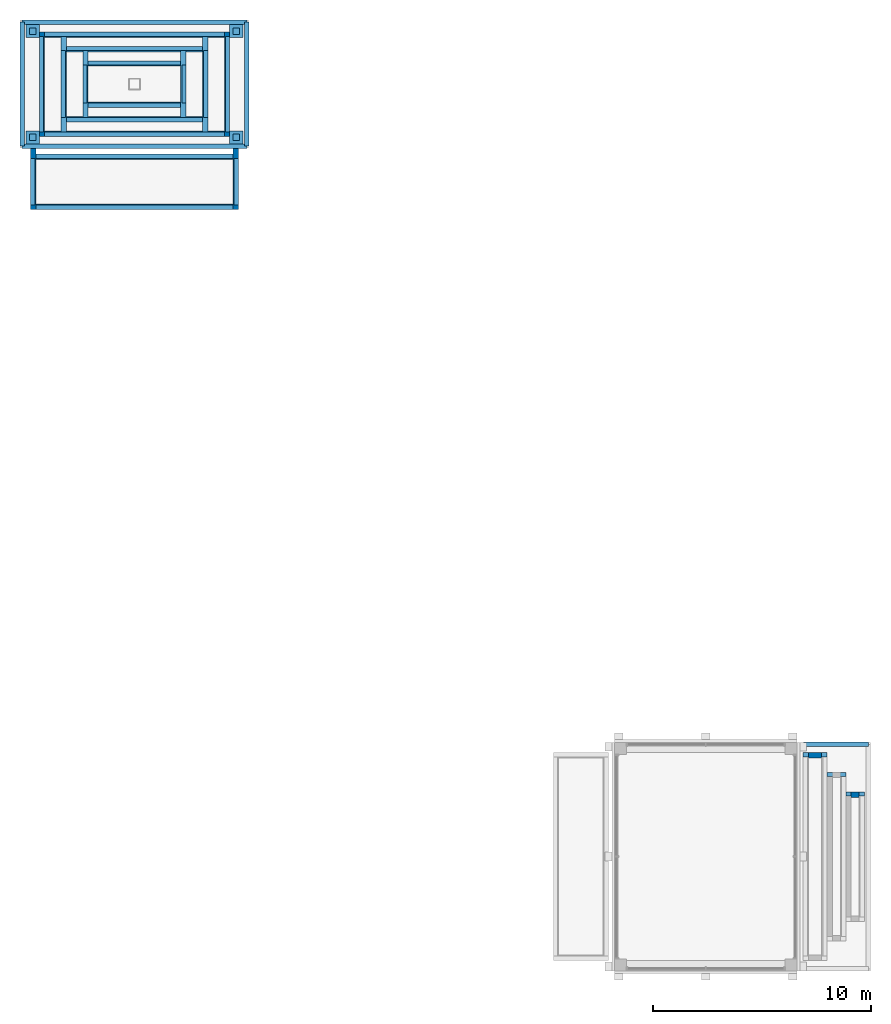
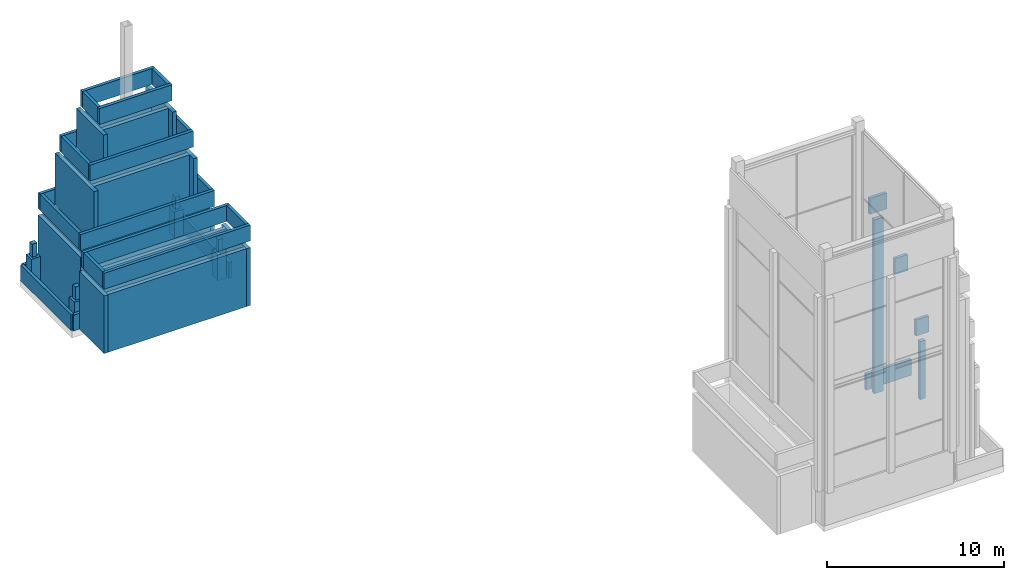
# One storey, part 3 of 4: 50 walls.
"""IFC4 building model written with IfcOpenShell, lengths in metres."""

from ifc_helpers import new_model, si_unit, direction, frame, frame_2d, origin, origin_2d, place, context, subcontext, project, spatial, rectangle, extrude, source, transform, mapped, material, layer, layer_set, type_object, element, save


model = new_model("IFC4")

# Units and contexts
model_context = context("Model", 3, precision=1e-05, world=origin(), true_north=direction((0.0, 1.0)))
body_context = subcontext(model_context, "Body", "Model", "MODEL_VIEW")
ifc_project = project(units=[si_unit("LENGTHUNIT", "METRE"), si_unit("AREAUNIT", "SQUARE_METRE"), si_unit("VOLUMEUNIT", "CUBIC_METRE"), si_unit("PLANEANGLEUNIT", "RADIAN"), si_unit("MASSUNIT", "GRAM", prefix="KILO")], contexts=[model_context])

# Site, building, storey
site_placement = place(None, origin())
site = spatial("IfcSite", under=ifc_project, at=site_placement, CompositionType="ELEMENT")
building_placement = place(site_placement, origin())
building = spatial("IfcBuilding", under=site, at=building_placement, Name="Aurelian Terraces", CompositionType="ELEMENT")
storey_placement = place(building_placement, frame((0.0, 0.0, 384.5)))
storey = spatial("IfcBuildingStorey", under=building, at=storey_placement, Name="L92", CompositionType="ELEMENT", Elevation=384.5)

# Walls
ifc_material_1 = material(Name="Concrete fc' 40 MPa", Category="concrete")
ifc_layer_1 = layer(ifc_material_1, 0.2)
ifc_layer_set_1 = layer_set([ifc_layer_1], Name="CROWN PARAPET 200 FC40")
wall_type_1 = type_object("IfcWallType", Name="CROWN PARAPET 200 FC40", PredefinedType="SOLIDWALL", material=ifc_layer_set_1)
wall_1_placement = place(storey_placement, frame((11.375, 38.438, 4.95), z_axis=(0.0, 0.0, 1.0), x_axis=(1.0, 0.0, 0.0)))
element("IfcWall", 1, at=wall_1_placement, inside=storey, type_object=wall_type_1, Name="Crown roof parapet B1", PredefinedType="SOLIDWALL", context=body_context, shape_type="SweptSolid", body=[
    extrude(rectangle(XDim=8.75, YDim=0.2, at=frame_2d((4.375, 0.0))), origin(), (0.0, 0.0, 1.0), 1.1),
])
wall_2_placement = place(storey_placement, frame((20.025, 38.538, 4.95), z_axis=(0.0, 0.0, 1.0), x_axis=(0.0, 1.0, 0.0)))
element("IfcWall", 2, at=wall_2_placement, inside=storey, type_object=wall_type_1, Name="Crown roof parapet B1", PredefinedType="SOLIDWALL", context=body_context, shape_type="SweptSolid", body=[
    extrude(rectangle(XDim=4.404, YDim=0.2, at=frame_2d((2.202, 0.0))), origin(), (0.0, 0.0, 1.0), 1.1),
])
wall_3_placement = place(storey_placement, frame((12.375, 39.102, 9.0), z_axis=(0.0, 0.0, 1.0), x_axis=(1.0, 0.0, 0.0)))
element("IfcWall", 3, at=wall_3_placement, inside=storey, type_object=wall_type_1, Name="Crown roof parapet B2", PredefinedType="SOLIDWALL", context=body_context, shape_type="SweptSolid", body=[
    extrude(rectangle(XDim=6.75, YDim=0.2, at=frame_2d((3.375, 0.0))), origin(), (0.0, 0.0, 1.0), 1.1),
])
wall_4_placement = place(storey_placement, frame((19.025, 39.202, 9.0), z_axis=(0.0, 0.0, 1.0), x_axis=(0.0, 1.0, 0.0)))
element("IfcWall", 4, at=wall_4_placement, inside=storey, type_object=wall_type_1, Name="Crown roof parapet B2", PredefinedType="SOLIDWALL", context=body_context, shape_type="SweptSolid", body=[
    extrude(rectangle(XDim=3.076, YDim=0.2, at=frame_2d((1.538, 0.0))), origin(), (0.0, 0.0, 1.0), 1.1),
])
wall_5_placement = place(storey_placement, frame((13.375, 39.765, 12.15), z_axis=(0.0, 0.0, 1.0), x_axis=(1.0, 0.0, 0.0)))
element("IfcWall", 5, at=wall_5_placement, inside=storey, type_object=wall_type_1, Name="Crown roof parapet B3", PredefinedType="SOLIDWALL", context=body_context, shape_type="SweptSolid", body=[
    extrude(rectangle(XDim=4.75, YDim=0.2, at=frame_2d((2.375, 0.0))), origin(), (0.0, 0.0, 1.0), 1.1),
])
wall_6_placement = place(storey_placement, frame((18.025, 39.865, 12.15), z_axis=(0.0, 0.0, 1.0), x_axis=(0.0, 1.0, 0.0)))
element("IfcWall", 6, at=wall_6_placement, inside=storey, type_object=wall_type_1, Name="Crown roof parapet B3", PredefinedType="SOLIDWALL", context=body_context, shape_type="SweptSolid", body=[
    extrude(rectangle(XDim=1.75, YDim=0.2, at=frame_2d((0.875, 0.0))), origin(), (0.0, 0.0, 1.0), 1.1),
])
wall_7_placement = place(storey_placement, frame((10.975, 35.092, 4.45), z_axis=(0.0, 0.0, 1.0), x_axis=(1.0, 0.0, 0.0)))
element("IfcWall", 7, at=wall_7_placement, inside=storey, type_object=wall_type_1, Name="Crown roof parapet BS3", PredefinedType="SOLIDWALL", context=body_context, shape_type="SweptSolid", body=[
    extrude(rectangle(XDim=9.55, YDim=0.2, at=frame_2d((4.775, 0.0))), origin(), (0.0, 0.0, 1.0), 1.1),
])
wall_8_placement = place(storey_placement, frame((20.425, 35.192, 4.45), z_axis=(0.0, 0.0, 1.0), x_axis=(0.0, 1.0, 0.0)))
element("IfcWall", 8, at=wall_8_placement, inside=storey, type_object=wall_type_1, Name="Crown roof parapet BS3", PredefinedType="SOLIDWALL", context=body_context, shape_type="SweptSolid", body=[
    extrude(rectangle(XDim=2.133, YDim=0.2, at=frame_2d((1.0665, 0.0))), origin(), (0.0, 0.0, 1.0), 1.1),
])
ifc_material_2 = material(Name="Concrete fc' 55 MPa", Category="concrete")
ifc_layer_2 = layer(ifc_material_2, 0.6)
ifc_layer_set_2 = layer_set([ifc_layer_2], Name="CROWN PIER 600 FC55")
wall_type_2 = type_object("IfcWallType", Name="CROWN PIER 600 FC55", PredefinedType="SOLIDWALL", material=ifc_layer_set_2)
wall_9_placement = place(storey_placement, frame((11.075, 38.3, 0.0), z_axis=(0.0, 0.0, 1.0), x_axis=(1.0, 0.0, 0.0)))
element("IfcWall", 9, at=wall_9_placement, inside=storey, type_object=wall_type_2, Name="Crown shoulder pier", PredefinedType="SOLIDWALL", context=body_context, shape_type="SweptSolid", body=[
    extrude(rectangle(XDim=0.6, YDim=0.6, at=origin_2d()), origin(), (0.0, 0.0, 1.0), 1.8),
])
ifc_material_3 = material(Name="Terracotta rainscreen cladding", Category="masonry")
ifc_layer_3 = layer(ifc_material_3, 0.2)
ifc_layer_set_3 = layer_set([ifc_layer_3], Name="PARAPET-200")
wall_type_3 = type_object("IfcWallType", Name="PARAPET-200", PredefinedType="PARAPET", material=ifc_layer_set_3)
wall_10_placement = place(storey_placement, frame((46.5, 10.41, 0.0), z_axis=(0.0, 0.0, 1.0), x_axis=(1.0, 0.0, 0.0)))
element("IfcWall", 10, at=wall_10_placement, inside=storey, type_object=wall_type_3, Name="Parapet L92 L92-X1", PredefinedType="PARAPET", context=body_context, shape_type="SweptSolid", body=[
    extrude(rectangle(XDim=2.97, YDim=0.2, at=frame_2d((1.485, 0.0))), origin(), (0.0, 0.0, 1.0), 1.1),
])
wall_11_placement = place(storey_placement, frame((20.91, 43.59, 0.0), z_axis=(0.0, 0.0, 1.0), x_axis=(0.0, -1.0, 0.0)))
element("IfcWall", 11, at=wall_11_placement, inside=storey, type_object=wall_type_3, Name="Parapet L92 L92-X2", PredefinedType="PARAPET", context=body_context, shape_type="SweptSolid", body=[
    extrude(rectangle(XDim=5.7, YDim=0.2, at=frame_2d((2.85, 0.0))), origin(), (0.0, 0.0, 1.0), 1.1),
])
ifc_layer_4 = layer(ifc_material_2, 0.25)
ifc_layer_set_4 = layer_set([ifc_layer_4], Name="PLANT PENTHOUSE 250 FC55")
wall_type_4 = type_object("IfcWallType", Name="PLANT PENTHOUSE 250 FC55", PredefinedType="SOLIDWALL", material=ifc_layer_set_4)
wall_12_placement = place(storey_placement, frame((11.625, 38.463, 0.0), z_axis=(0.0, 0.0, 1.0), x_axis=(1.0, 0.0, 0.0)))
element("IfcWall", 12, at=wall_12_placement, inside=storey, type_object=wall_type_4, Name="Crown tier wall B1", PredefinedType="SOLIDWALL", context=body_context, shape_type="SweptSolid", body=[
    extrude(rectangle(XDim=8.25, YDim=0.25, at=frame_2d((4.125, 0.0))), origin(), (0.0, 0.0, 1.0), 4.5),
])
wall_13_placement = place(storey_placement, frame((20.0, 38.338, 0.0), z_axis=(0.0, 0.0, 1.0), x_axis=(0.0, 1.0, 0.0)))
element("IfcWall", 13, at=wall_13_placement, inside=storey, type_object=wall_type_4, Name="Crown tier wall B1", PredefinedType="SOLIDWALL", context=body_context, shape_type="SweptSolid", body=[
    extrude(rectangle(XDim=4.804, YDim=0.25, at=frame_2d((2.402, 0.0))), origin(), (0.0, 0.0, 1.0), 4.5),
])
wall_14_placement = place(storey_placement, frame((12.625, 39.127, 4.95), z_axis=(0.0, 0.0, 1.0), x_axis=(1.0, 0.0, 0.0)))
element("IfcWall", 14, at=wall_14_placement, inside=storey, type_object=wall_type_4, Name="Crown tier wall B2", PredefinedType="SOLIDWALL", context=body_context, shape_type="SweptSolid", body=[
    extrude(rectangle(XDim=6.25, YDim=0.25, at=frame_2d((3.125, 0.0))), origin(), (0.0, 0.0, 1.0), 3.6),
])
wall_15_placement = place(storey_placement, frame((19.0, 38.538, 4.95), z_axis=(0.0, 0.0, 1.0), x_axis=(0.0, 1.0, 0.0)))
element("IfcWall", 15, at=wall_15_placement, inside=storey, type_object=wall_type_4, Name="Crown tier wall B2", PredefinedType="SOLIDWALL", context=body_context, shape_type="SweptSolid", body=[
    extrude(rectangle(XDim=4.404, YDim=0.25, at=frame_2d((2.202, 0.0))), origin(), (0.0, 0.0, 1.0), 3.6),
])
wall_16_placement = place(storey_placement, frame((13.625, 39.79, 9.0), z_axis=(0.0, 0.0, 1.0), x_axis=(1.0, 0.0, 0.0)))
element("IfcWall", 16, at=wall_16_placement, inside=storey, type_object=wall_type_4, Name="Crown tier wall B3", PredefinedType="SOLIDWALL", context=body_context, shape_type="SweptSolid", body=[
    extrude(rectangle(XDim=4.25, YDim=0.25, at=frame_2d((2.125, 0.0))), origin(), (0.0, 0.0, 1.0), 2.7),
])
wall_17_placement = place(storey_placement, frame((18.0, 39.202, 9.0), z_axis=(0.0, 0.0, 1.0), x_axis=(0.0, 1.0, 0.0)))
element("IfcWall", 17, at=wall_17_placement, inside=storey, type_object=wall_type_4, Name="Crown tier wall B3", PredefinedType="SOLIDWALL", context=body_context, shape_type="SweptSolid", body=[
    extrude(rectangle(XDim=3.076, YDim=0.25, at=frame_2d((1.538, 0.0))), origin(), (0.0, 0.0, 1.0), 2.7),
])
wall_18_placement = place(storey_placement, frame((11.225, 35.117, 0.0), z_axis=(0.0, 0.0, 1.0), x_axis=(1.0, 0.0, 0.0)))
element("IfcWall", 18, at=wall_18_placement, inside=storey, type_object=wall_type_4, Name="Crown tier wall BS3", PredefinedType="SOLIDWALL", context=body_context, shape_type="SweptSolid", body=[
    extrude(rectangle(XDim=9.05, YDim=0.25, at=frame_2d((4.525, 0.0))), origin(), (0.0, 0.0, 1.0), 4.0),
])
wall_19_placement = place(storey_placement, frame((20.4, 34.992, 0.0), z_axis=(0.0, 0.0, 1.0), x_axis=(0.0, 1.0, 0.0)))
element("IfcWall", 19, at=wall_19_placement, inside=storey, type_object=wall_type_4, Name="Crown tier wall BS3", PredefinedType="SOLIDWALL", context=body_context, shape_type="SweptSolid", body=[
    extrude(rectangle(XDim=2.798, YDim=0.25, at=frame_2d((1.399, 0.0))), origin(), (0.0, 0.0, 1.0), 4.0),
])
ifc_layer_5 = layer(ifc_material_2, 0.3)
ifc_layer_set_5 = layer_set([ifc_layer_5], Name="CROWN FINIAL 300 FC55")
wall_type_5 = type_object("IfcWallType", Name="CROWN FINIAL 300 FC55", PredefinedType="SOLIDWALL", material=ifc_layer_set_5)
shared_shape_1 = source(origin(), body_context, "Body", "SweptSolid", [
    extrude(rectangle(XDim=0.3, YDim=0.3, at=origin_2d()), origin(), (0.0, 0.0, 1.0), 0.9),
])
for number, where, z_axis, x_axis, name in (
    (20, (11.075, 38.3, 1.8), (0.0, 0.0, 1.0), (1.0, 0.0, 0.0), "Crown pier cap block"),
    (21, (20.425, 38.3, 1.8), (0.0, 0.0, 1.0), (1.0, 0.0, 0.0), "Crown pier cap block"),
    (22, (11.075, 43.18, 1.8), (0.0, 0.0, 1.0), (1.0, 0.0, 0.0), "Crown pier cap block"),
    (23, (20.425, 43.18, 1.8), (0.0, 0.0, 1.0), (1.0, 0.0, 0.0), "Crown pier cap block"),
):
    element("IfcWall", number, at=place(storey_placement, frame(where, z_axis=z_axis, x_axis=x_axis)), inside=storey, type_object=wall_type_5, Name=name, PredefinedType="SOLIDWALL", context=body_context, shape_type="MappedRepresentation", body=[
        mapped(shared_shape_1, transform((0.0, 0.0, 0.0), scale=1.0)),
    ])
shared_shape_2 = source(origin(), body_context, "Body", "SweptSolid", [
    extrude(rectangle(XDim=0.603, YDim=0.25, at=frame_2d((0.3015, 0.0))), origin(), (0.0, 0.0, 1.0), 12.0),
])
wall_20_placement = place(storey_placement, frame((47.328, 9.9, 0.0), z_axis=(0.0, 0.0, 1.0), x_axis=(-1.0, 0.0, 0.0)))
element("IfcWall", 24, at=wall_20_placement, inside=storey, type_object=wall_type_4, Name="Crown tier wall A3S1", PredefinedType="SOLIDWALL", context=body_context, shape_type="MappedRepresentation", body=[
    mapped(shared_shape_2, transform((0.0, 0.0, 0.0), scale=1.0)),
])
shared_shape_3 = source(origin(), body_context, "Body", "SweptSolid", [
    extrude(rectangle(XDim=1.103, YDim=0.2, at=frame_2d((0.5515, 0.0))), origin(), (0.0, 0.0, 1.0), 1.1),
])
wall_21_placement = place(storey_placement, frame((46.475, 9.925, 12.45), z_axis=(0.0, 0.0, 1.0), x_axis=(1.0, 0.0, 0.0)))
element("IfcWall", 25, at=wall_21_placement, inside=storey, type_object=wall_type_1, Name="Crown roof parapet A3S1", PredefinedType="SOLIDWALL", context=body_context, shape_type="MappedRepresentation", body=[
    mapped(shared_shape_3, transform((0.0, 0.0, 0.0), scale=1.0)),
])
shared_shape_4 = source(origin(), body_context, "Body", "SweptSolid", [
    extrude(rectangle(XDim=0.854, YDim=0.2, at=frame_2d((0.427, 0.0))), origin(), (0.0, 0.0, 1.0), 1.1),
])
wall_22_placement = place(storey_placement, frame((47.578, 9.025, 8.45), z_axis=(0.0, 0.0, 1.0), x_axis=(1.0, 0.0, 0.0)))
element("IfcWall", 26, at=wall_22_placement, inside=storey, type_object=wall_type_1, Name="Crown roof parapet A3S2", PredefinedType="SOLIDWALL", context=body_context, shape_type="MappedRepresentation", body=[
    mapped(shared_shape_4, transform((0.0, 0.0, 0.0), scale=1.0)),
])
shared_shape_5 = source(origin(), body_context, "Body", "SweptSolid", [
    extrude(rectangle(XDim=0.353, YDim=0.25, at=frame_2d((0.1765, 0.0))), origin(), (0.0, 0.0, 1.0), 4.0),
])
wall_23_placement = place(storey_placement, frame((49.035, 8.1, 0.0), z_axis=(0.0, 0.0, 1.0), x_axis=(-1.0, 0.0, 0.0)))
element("IfcWall", 27, at=wall_23_placement, inside=storey, type_object=wall_type_4, Name="Crown tier wall A3S3", PredefinedType="SOLIDWALL", context=body_context, shape_type="MappedRepresentation", body=[
    mapped(shared_shape_5, transform((0.0, 0.0, 0.0), scale=1.0)),
])
shared_shape_6 = source(origin(), body_context, "Body", "SweptSolid", [
    extrude(rectangle(XDim=0.853, YDim=0.2, at=frame_2d((0.4265, 0.0))), origin(), (0.0, 0.0, 1.0), 1.1),
])
wall_24_placement = place(storey_placement, frame((48.432, 8.125, 4.45), z_axis=(0.0, 0.0, 1.0), x_axis=(1.0, 0.0, 0.0)))
element("IfcWall", 28, at=wall_24_placement, inside=storey, type_object=wall_type_1, Name="Crown roof parapet A3S3", PredefinedType="SOLIDWALL", context=body_context, shape_type="MappedRepresentation", body=[
    mapped(shared_shape_6, transform((0.0, 0.0, 0.0), scale=1.0)),
])
shared_shape_7 = source(origin(), body_context, "Body", "SweptSolid", [
    extrude(rectangle(XDim=8.25, YDim=0.25, at=frame_2d((4.125, 0.0))), origin(), (0.0, 0.0, 1.0), 4.5),
])
wall_25_placement = place(storey_placement, frame((19.875, 43.017, 0.0), z_axis=(0.0, 0.0, 1.0), x_axis=(-1.0, 0.0, 0.0)))
element("IfcWall", 29, at=wall_25_placement, inside=storey, type_object=wall_type_4, Name="Crown tier wall B1", PredefinedType="SOLIDWALL", context=body_context, shape_type="MappedRepresentation", body=[
    mapped(shared_shape_7, transform((0.0, 0.0, 0.0), scale=1.0)),
])
shared_shape_8 = source(origin(), body_context, "Body", "SweptSolid", [
    extrude(rectangle(XDim=4.804, YDim=0.25, at=frame_2d((2.402, 0.0))), origin(), (0.0, 0.0, 1.0), 4.5),
])
wall_26_placement = place(storey_placement, frame((11.5, 43.142, 0.0), z_axis=(0.0, 0.0, 1.0), x_axis=(0.0, -1.0, 0.0)))
element("IfcWall", 30, at=wall_26_placement, inside=storey, type_object=wall_type_4, Name="Crown tier wall B1", PredefinedType="SOLIDWALL", context=body_context, shape_type="MappedRepresentation", body=[
    mapped(shared_shape_8, transform((0.0, 0.0, 0.0), scale=1.0)),
])
shared_shape_9 = source(origin(), body_context, "Body", "SweptSolid", [
    extrude(rectangle(XDim=8.75, YDim=0.2, at=frame_2d((4.375, 0.0))), origin(), (0.0, 0.0, 1.0), 1.1),
])
wall_27_placement = place(storey_placement, frame((11.375, 43.042, 4.95), z_axis=(0.0, 0.0, 1.0), x_axis=(1.0, 0.0, 0.0)))
element("IfcWall", 31, at=wall_27_placement, inside=storey, type_object=wall_type_1, Name="Crown roof parapet B1", PredefinedType="SOLIDWALL", context=body_context, shape_type="MappedRepresentation", body=[
    mapped(shared_shape_9, transform((0.0, 0.0, 0.0), scale=1.0)),
])
shared_shape_10 = source(origin(), body_context, "Body", "SweptSolid", [
    extrude(rectangle(XDim=4.404, YDim=0.2, at=frame_2d((2.202, 0.0))), origin(), (0.0, 0.0, 1.0), 1.1),
])
wall_28_placement = place(storey_placement, frame((11.475, 38.538, 4.95), z_axis=(0.0, 0.0, 1.0), x_axis=(0.0, 1.0, 0.0)))
element("IfcWall", 32, at=wall_28_placement, inside=storey, type_object=wall_type_1, Name="Crown roof parapet B1", PredefinedType="SOLIDWALL", context=body_context, shape_type="MappedRepresentation", body=[
    mapped(shared_shape_10, transform((0.0, 0.0, 0.0), scale=1.0)),
])
shared_shape_11 = source(origin(), body_context, "Body", "SweptSolid", [
    extrude(rectangle(XDim=6.25, YDim=0.25, at=frame_2d((3.125, 0.0))), origin(), (0.0, 0.0, 1.0), 3.6),
])
wall_29_placement = place(storey_placement, frame((18.875, 42.353, 4.95), z_axis=(0.0, 0.0, 1.0), x_axis=(-1.0, 0.0, 0.0)))
element("IfcWall", 33, at=wall_29_placement, inside=storey, type_object=wall_type_4, Name="Crown tier wall B2", PredefinedType="SOLIDWALL", context=body_context, shape_type="MappedRepresentation", body=[
    mapped(shared_shape_11, transform((0.0, 0.0, 0.0), scale=1.0)),
])
shared_shape_12 = source(origin(), body_context, "Body", "SweptSolid", [
    extrude(rectangle(XDim=4.404, YDim=0.25, at=frame_2d((2.202, 0.0))), origin(), (0.0, 0.0, 1.0), 3.6),
])
wall_30_placement = place(storey_placement, frame((12.5, 42.942, 4.95), z_axis=(0.0, 0.0, 1.0), x_axis=(0.0, -1.0, 0.0)))
element("IfcWall", 34, at=wall_30_placement, inside=storey, type_object=wall_type_4, Name="Crown tier wall B2", PredefinedType="SOLIDWALL", context=body_context, shape_type="MappedRepresentation", body=[
    mapped(shared_shape_12, transform((0.0, 0.0, 0.0), scale=1.0)),
])
shared_shape_13 = source(origin(), body_context, "Body", "SweptSolid", [
    extrude(rectangle(XDim=6.75, YDim=0.2, at=frame_2d((3.375, 0.0))), origin(), (0.0, 0.0, 1.0), 1.1),
])
wall_31_placement = place(storey_placement, frame((12.375, 42.378, 9.0), z_axis=(0.0, 0.0, 1.0), x_axis=(1.0, 0.0, 0.0)))
element("IfcWall", 35, at=wall_31_placement, inside=storey, type_object=wall_type_1, Name="Crown roof parapet B2", PredefinedType="SOLIDWALL", context=body_context, shape_type="MappedRepresentation", body=[
    mapped(shared_shape_13, transform((0.0, 0.0, 0.0), scale=1.0)),
])
shared_shape_14 = source(origin(), body_context, "Body", "SweptSolid", [
    extrude(rectangle(XDim=3.076, YDim=0.2, at=frame_2d((1.538, 0.0))), origin(), (0.0, 0.0, 1.0), 1.1),
])
wall_32_placement = place(storey_placement, frame((12.475, 39.202, 9.0), z_axis=(0.0, 0.0, 1.0), x_axis=(0.0, 1.0, 0.0)))
element("IfcWall", 36, at=wall_32_placement, inside=storey, type_object=wall_type_1, Name="Crown roof parapet B2", PredefinedType="SOLIDWALL", context=body_context, shape_type="MappedRepresentation", body=[
    mapped(shared_shape_14, transform((0.0, 0.0, 0.0), scale=1.0)),
])
shared_shape_15 = source(origin(), body_context, "Body", "SweptSolid", [
    extrude(rectangle(XDim=4.25, YDim=0.25, at=frame_2d((2.125, 0.0))), origin(), (0.0, 0.0, 1.0), 2.7),
])
wall_33_placement = place(storey_placement, frame((17.875, 41.69, 9.0), z_axis=(0.0, 0.0, 1.0), x_axis=(-1.0, 0.0, 0.0)))
element("IfcWall", 37, at=wall_33_placement, inside=storey, type_object=wall_type_4, Name="Crown tier wall B3", PredefinedType="SOLIDWALL", context=body_context, shape_type="MappedRepresentation", body=[
    mapped(shared_shape_15, transform((0.0, 0.0, 0.0), scale=1.0)),
])
shared_shape_16 = source(origin(), body_context, "Body", "SweptSolid", [
    extrude(rectangle(XDim=3.076, YDim=0.25, at=frame_2d((1.538, 0.0))), origin(), (0.0, 0.0, 1.0), 2.7),
])
wall_34_placement = place(storey_placement, frame((13.5, 42.278, 9.0), z_axis=(0.0, 0.0, 1.0), x_axis=(0.0, -1.0, 0.0)))
element("IfcWall", 38, at=wall_34_placement, inside=storey, type_object=wall_type_4, Name="Crown tier wall B3", PredefinedType="SOLIDWALL", context=body_context, shape_type="MappedRepresentation", body=[
    mapped(shared_shape_16, transform((0.0, 0.0, 0.0), scale=1.0)),
])
shared_shape_17 = source(origin(), body_context, "Body", "SweptSolid", [
    extrude(rectangle(XDim=4.75, YDim=0.2, at=frame_2d((2.375, 0.0))), origin(), (0.0, 0.0, 1.0), 1.1),
])
wall_35_placement = place(storey_placement, frame((13.375, 41.715, 12.15), z_axis=(0.0, 0.0, 1.0), x_axis=(1.0, 0.0, 0.0)))
element("IfcWall", 39, at=wall_35_placement, inside=storey, type_object=wall_type_1, Name="Crown roof parapet B3", PredefinedType="SOLIDWALL", context=body_context, shape_type="MappedRepresentation", body=[
    mapped(shared_shape_17, transform((0.0, 0.0, 0.0), scale=1.0)),
])
shared_shape_18 = source(origin(), body_context, "Body", "SweptSolid", [
    extrude(rectangle(XDim=1.75, YDim=0.2, at=frame_2d((0.875, 0.0))), origin(), (0.0, 0.0, 1.0), 1.1),
])
wall_36_placement = place(storey_placement, frame((13.475, 39.865, 12.15), z_axis=(0.0, 0.0, 1.0), x_axis=(0.0, 1.0, 0.0)))
element("IfcWall", 40, at=wall_36_placement, inside=storey, type_object=wall_type_1, Name="Crown roof parapet B3", PredefinedType="SOLIDWALL", context=body_context, shape_type="MappedRepresentation", body=[
    mapped(shared_shape_18, transform((0.0, 0.0, 0.0), scale=1.0)),
])
shared_shape_19 = source(origin(), body_context, "Body", "SweptSolid", [
    extrude(rectangle(XDim=0.6, YDim=0.6, at=origin_2d()), origin(), (0.0, 0.0, 1.0), 1.8),
])
for number, where, z_axis, x_axis, name in (
    (41, (20.425, 38.3, 0.0), (0.0, 0.0, 1.0), (1.0, 0.0, 0.0), "Crown shoulder pier"),
    (42, (11.075, 43.18, 0.0), (0.0, 0.0, 1.0), (1.0, 0.0, 0.0), "Crown shoulder pier"),
    (43, (20.425, 43.18, 0.0), (0.0, 0.0, 1.0), (1.0, 0.0, 0.0), "Crown shoulder pier"),
):
    element("IfcWall", number, at=place(storey_placement, frame(where, z_axis=z_axis, x_axis=x_axis)), inside=storey, type_object=wall_type_2, Name=name, PredefinedType="SOLIDWALL", context=body_context, shape_type="MappedRepresentation", body=[
        mapped(shared_shape_19, transform((0.0, 0.0, 0.0), scale=1.0)),
    ])
shared_shape_20 = source(origin(), body_context, "Body", "SweptSolid", [
    extrude(rectangle(XDim=9.05, YDim=0.25, at=frame_2d((4.525, 0.0))), origin(), (0.0, 0.0, 1.0), 4.0),
])
wall_37_placement = place(storey_placement, frame((20.275, 37.4, 0.0), z_axis=(0.0, 0.0, 1.0), x_axis=(-1.0, 0.0, 0.0)))
element("IfcWall", 44, at=wall_37_placement, inside=storey, type_object=wall_type_4, Name="Crown tier wall BS3", PredefinedType="SOLIDWALL", context=body_context, shape_type="MappedRepresentation", body=[
    mapped(shared_shape_20, transform((0.0, 0.0, 0.0), scale=1.0)),
])
shared_shape_21 = source(origin(), body_context, "Body", "SweptSolid", [
    extrude(rectangle(XDim=2.798, YDim=0.25, at=frame_2d((1.399, 0.0))), origin(), (0.0, 0.0, 1.0), 4.0),
])
wall_38_placement = place(storey_placement, frame((11.1, 37.79, 0.0), z_axis=(0.0, 0.0, 1.0), x_axis=(0.0, -1.0, 0.0)))
element("IfcWall", 45, at=wall_38_placement, inside=storey, type_object=wall_type_4, Name="Crown tier wall BS3", PredefinedType="SOLIDWALL", context=body_context, shape_type="MappedRepresentation", body=[
    mapped(shared_shape_21, transform((0.0, 0.0, 0.0), scale=1.0)),
])
shared_shape_22 = source(origin(), body_context, "Body", "SweptSolid", [
    extrude(rectangle(XDim=9.55, YDim=0.2, at=frame_2d((4.775, 0.0))), origin(), (0.0, 0.0, 1.0), 1.1),
])
wall_39_placement = place(storey_placement, frame((10.975, 37.425, 4.45), z_axis=(0.0, 0.0, 1.0), x_axis=(1.0, 0.0, 0.0)))
element("IfcWall", 46, at=wall_39_placement, inside=storey, type_object=wall_type_1, Name="Crown roof parapet BS3", PredefinedType="SOLIDWALL", context=body_context, shape_type="MappedRepresentation", body=[
    mapped(shared_shape_22, transform((0.0, 0.0, 0.0), scale=1.0)),
])
shared_shape_23 = source(origin(), body_context, "Body", "SweptSolid", [
    extrude(rectangle(XDim=2.133, YDim=0.2, at=frame_2d((1.0665, 0.0))), origin(), (0.0, 0.0, 1.0), 1.1),
])
wall_40_placement = place(storey_placement, frame((11.075, 35.192, 4.45), z_axis=(0.0, 0.0, 1.0), x_axis=(0.0, 1.0, 0.0)))
element("IfcWall", 47, at=wall_40_placement, inside=storey, type_object=wall_type_1, Name="Crown roof parapet BS3", PredefinedType="SOLIDWALL", context=body_context, shape_type="MappedRepresentation", body=[
    mapped(shared_shape_23, transform((0.0, 0.0, 0.0), scale=1.0)),
])
shared_shape_24 = source(origin(), body_context, "Body", "SweptSolid", [
    extrude(rectangle(XDim=10.32, YDim=0.2, at=frame_2d((5.16, 0.0))), origin(), (0.0, 0.0, 1.0), 1.1),
])
for number, where, z_axis, x_axis, name in (
    (48, (20.91, 37.89, 0.0), (0.0, 0.0, 1.0), (-1.0, 0.0, 0.0), "Parapet L92 L92-X2"),
    (49, (10.59, 43.59, 0.0), (0.0, 0.0, 1.0), (1.0, 0.0, 0.0), "Parapet L92 L92-X2"),
):
    element("IfcWall", number, at=place(storey_placement, frame(where, z_axis=z_axis, x_axis=x_axis)), inside=storey, type_object=wall_type_3, Name=name, PredefinedType="PARAPET", context=body_context, shape_type="MappedRepresentation", body=[
        mapped(shared_shape_24, transform((0.0, 0.0, 0.0), scale=1.0)),
    ])
shared_shape_25 = source(origin(), body_context, "Body", "SweptSolid", [
    extrude(rectangle(XDim=5.7, YDim=0.2, at=frame_2d((2.85, 0.0))), origin(), (0.0, 0.0, 1.0), 1.1),
])
wall_41_placement = place(storey_placement, frame((10.59, 37.89, 0.0), z_axis=(0.0, 0.0, 1.0), x_axis=(0.0, 1.0, 0.0)))
element("IfcWall", 50, at=wall_41_placement, inside=storey, type_object=wall_type_3, Name="Parapet L92 L92-X2", PredefinedType="PARAPET", context=body_context, shape_type="MappedRepresentation", body=[
    mapped(shared_shape_25, transform((0.0, 0.0, 0.0), scale=1.0)),
])

save(model, "model.ifc")
